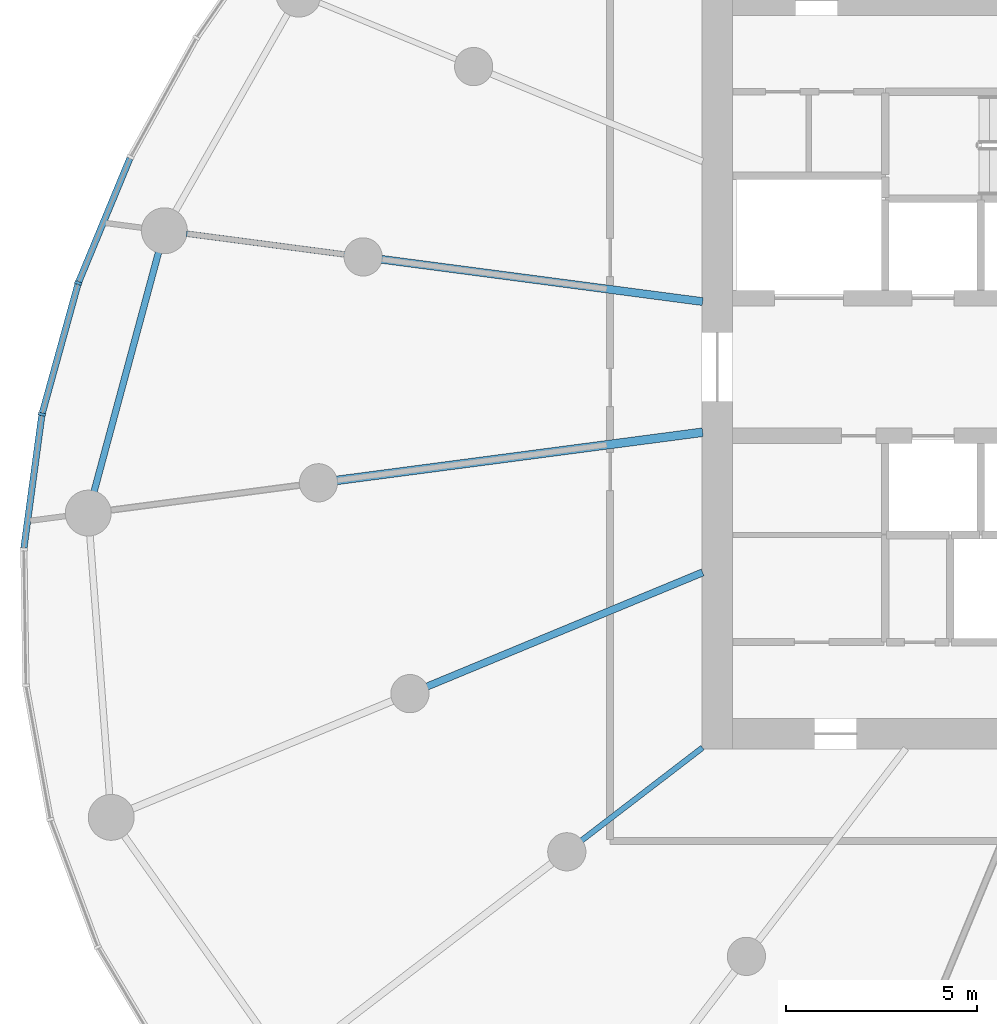
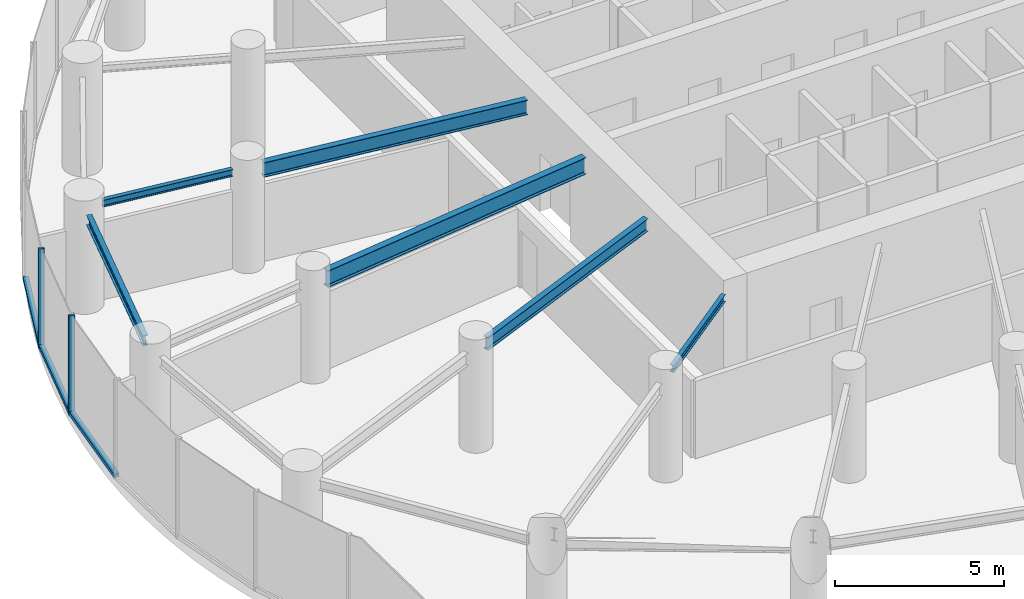
# One storey, part 3 of 17: 6 beams, 5 members, 1 element without a shape of its own.
"""IFC4 building model written with IfcOpenShell, lengths in metres."""

from ifc_helpers import new_model, si_unit, direction, frame, origin, origin_2d, place, context, subcontext, project, spatial, rectangle, i_section, extrude, source, transform, mapped, material, layer, layer_set, material_profile, profile_set, type_object, element, aggregate, save


model = new_model("IFC4")

# Units and contexts
model_context = context("Model", 3, precision=1e-05, world=origin(), true_north=direction((0.0, 1.0)))
body_context = subcontext(model_context, "Body", "Model", "MODEL_VIEW")
ifc_project = project(units=[si_unit("LENGTHUNIT", "METRE"), si_unit("AREAUNIT", "SQUARE_METRE"), si_unit("VOLUMEUNIT", "CUBIC_METRE"), si_unit("PLANEANGLEUNIT", "RADIAN"), si_unit("MASSUNIT", "GRAM", prefix="KILO")], contexts=[model_context])

# Site, building, storey
site_placement = place(None, origin())
site = spatial("IfcSite", under=ifc_project, at=site_placement, CompositionType="ELEMENT")
building_placement = place(site_placement, origin())
building = spatial("IfcBuilding", under=site, at=building_placement, Name="Spindrift Exchange Tower", CompositionType="ELEMENT")
storey_placement = place(building_placement, frame((0.0, 0.0, 124.89990234375)))
storey = spatial("IfcBuildingStorey", under=building, at=storey_placement, Name="L29", CompositionType="ELEMENT", Elevation=124.89990234375)

# Beams
ifc_material_1 = material(Name="Steel Grade 300", Category="steel")
ifc_material_profile_1 = material_profile(ifc_material_1, i_section(OverallWidth=0.22802734375, OverallDepth=0.60693359375, WebThickness=0.01123046875, FlangeThickness=0.017333984375, FilletRadius=0.013916015625, at=origin_2d()), Name="610UB113")
ifc_profile_set_1 = profile_set([ifc_material_profile_1], Name="Steel Grade 300")
beam_type_1 = type_object("IfcBeamType", Name="Floor Beam 610UB113 Steel Grade 300", PredefinedType="BEAM", material=ifc_profile_set_1)
shared_shape_1 = source(origin(), body_context, "Body", "SweptSolid", [
    extrude(i_section(OverallWidth=0.22802734375, OverallDepth=0.60693359375, WebThickness=0.01123046875, FlangeThickness=0.017333984375, FilletRadius=0.013916015625, at=origin_2d()), origin(), (0.0, 0.0, 1.0), 9.660400390625),
])
beam_1_placement = place(storey_placement, frame((39.019775390625, 46.291015625, 3.296630859375), z_axis=(-0.99144767089, -0.130504850054, 0.0), x_axis=(0.130504850054, -0.99144767089, 0.0)))
element("IfcBeam", 1, at=beam_1_placement, inside=storey, type_object=beam_type_1, Name="L29 radial beam R13A", PredefinedType="BEAM", context=body_context, shape_type="MappedRepresentation", body=[
    mapped(shared_shape_1, transform((0.0, 0.0, 0.0), scale=1.0)),
])
ifc_material_profile_2 = material_profile(ifc_material_1, i_section(OverallWidth=0.18994140625, OverallDepth=0.45703125, WebThickness=0.009033203125, FlangeThickness=0.014404296875, FilletRadius=0.013916015625, at=origin_2d()), Name="460UB74.6")
ifc_profile_set_2 = profile_set([ifc_material_profile_2], Name="Steel Grade 300")
beam_type_2 = type_object("IfcBeamType", Name="Floor Beam 460UB74.6 Steel Grade 300", PredefinedType="BEAM", material=ifc_profile_set_2)
shared_shape_2 = source(origin(), body_context, "Body", "SweptSolid", [
    extrude(i_section(OverallWidth=0.18994140625, OverallDepth=0.45703125, WebThickness=0.009033203125, FlangeThickness=0.014404296875, FilletRadius=0.013916015625, at=origin_2d()), origin(), (0.0, 0.0, 1.0), 7.808837890625),
])
beam_2_placement = place(storey_placement, frame((39.0185546875, 42.622802734375, 3.37158203125), z_axis=(-0.92387965154, -0.382683145003, 0.0), x_axis=(0.382683145003, -0.92387965154, 0.0)))
element("IfcBeam", 2, at=beam_2_placement, inside=storey, type_object=beam_type_2, Name="L29 radial beam R14A", PredefinedType="BEAM", context=body_context, shape_type="MappedRepresentation", body=[
    mapped(shared_shape_2, transform((0.0, 0.0, 0.0), scale=1.0)),
])
ifc_material_profile_3 = material_profile(ifc_material_1, i_section(OverallWidth=0.14599609375, OverallDepth=0.251953125, WebThickness=0.006103515625, FlangeThickness=0.008544921875, FilletRadius=0.011962890625, at=origin_2d()), Name="250UB31.4")
ifc_profile_set_3 = profile_set([ifc_material_profile_3], Name="Steel Grade 300")
beam_type_3 = type_object("IfcBeamType", Name="Floor Beam 250UB31.4 Steel Grade 300", PredefinedType="BEAM", material=ifc_profile_set_3)
shared_shape_3 = source(origin(), body_context, "Body", "SweptSolid", [
    extrude(i_section(OverallWidth=0.14599609375, OverallDepth=0.251953125, WebThickness=0.006103515625, FlangeThickness=0.008544921875, FilletRadius=0.011962890625, at=origin_2d()), origin(), (0.0, 0.0, 1.0), 3.99560546875),
])
beam_3_placement = place(storey_placement, frame((39.015869140625, 38.036865234375, 3.47412109375), z_axis=(-0.793352561574, -0.608762443851, 0.0), x_axis=(0.608762443851, -0.793352561574, 0.0)))
element("IfcBeam", 3, at=beam_3_placement, inside=storey, type_object=beam_type_3, Name="L29 radial beam R15A", PredefinedType="BEAM", context=body_context, shape_type="MappedRepresentation", body=[
    mapped(shared_shape_3, transform((0.0, 0.0, 0.0), scale=1.0)),
])
ifc_material_profile_4 = material_profile(ifc_material_1, i_section(OverallWidth=0.208984375, OverallDepth=0.532958984375, WebThickness=0.01025390625, FlangeThickness=0.015625, FilletRadius=0.013916015625, at=origin_2d()), Name="530UB92.4")
ifc_profile_set_4 = profile_set([ifc_material_profile_4], Name="Steel Grade 300")
beam_type_4 = type_object("IfcBeamType", Name="Floor Beam 530UB92.4 Steel Grade 300", PredefinedType="BEAM", material=ifc_profile_set_4)
shared_shape_4 = source(origin(), body_context, "Body", "SweptSolid", [
    extrude(i_section(OverallWidth=0.208984375, OverallDepth=0.532958984375, WebThickness=0.01025390625, FlangeThickness=0.015625, FilletRadius=0.013916015625, at=origin_2d()), origin(), (0.0, 0.0, 1.0), 8.4794921875),
])
beam_4_placement = place(storey_placement, frame((39.019775390625, 49.708984375, 3.33349609375), z_axis=(-0.991446551951, 0.13051335037, 0.0), x_axis=(-0.13051335037, -0.991446551951, 0.0)))
element("IfcBeam", 4, at=beam_4_placement, inside=storey, type_object=beam_type_4, Name="L29 radial beam R12A", PredefinedType="BEAM", context=body_context, shape_type="MappedRepresentation", body=[
    mapped(shared_shape_4, transform((0.0, 0.0, 0.0), scale=1.0)),
])
shared_shape_5 = source(origin(), body_context, "Body", "SweptSolid", [
    extrude(i_section(OverallWidth=0.14599609375, OverallDepth=0.251953125, WebThickness=0.006103515625, FlangeThickness=0.008544921875, FilletRadius=0.011962890625, at=origin_2d()), origin(), (0.0, 0.0, 1.0), 4.186279296875),
])
beam_5_placement = place(storey_placement, frame((29.660888671875, 50.94091796875, 3.47412109375), z_axis=(-0.991445559167, 0.130520891848, 0.0), x_axis=(-0.130520891848, -0.991445559167, 0.0)))
element("IfcBeam", 5, at=beam_5_placement, inside=storey, type_object=beam_type_3, Name="L29 radial beam R12B", PredefinedType="BEAM", context=body_context, shape_type="MappedRepresentation", body=[
    mapped(shared_shape_5, transform((0.0, 0.0, 0.0), scale=1.0)),
])
ifc_material_profile_5 = material_profile(ifc_material_1, i_section(OverallWidth=0.172119140625, OverallDepth=0.35888671875, WebThickness=0.008056640625, FlangeThickness=0.012939453125, FilletRadius=0.013916015625, at=origin_2d()), Name="360UB56.7")
ifc_profile_set_5 = profile_set([ifc_material_profile_5], Name="Steel Grade 300")
beam_type_5 = type_object("IfcBeamType", Name="Edge Beam 360UB56.7 Steel Grade 300", PredefinedType="SPANDREL", material=ifc_profile_set_5)
shared_shape_6 = source(origin(), body_context, "Body", "SweptSolid", [
    extrude(i_section(OverallWidth=0.172119140625, OverallDepth=0.35888671875, WebThickness=0.008056640625, FlangeThickness=0.012939453125, FilletRadius=0.013916015625, at=origin_2d()), origin(), (0.0, 0.0, 1.0), 6.4921875),
])
beam_6_placement = place(storey_placement, frame((24.784423828125, 51.003173828125, 3.420654296875), z_axis=(-0.260262058381, -0.965538016324, 0.0), x_axis=(0.965538016324, -0.260262058381, 0.0)))
element("IfcBeam", 6, at=beam_6_placement, inside=storey, type_object=beam_type_5, Name="L29 edge beam E12", PredefinedType="SPANDREL", context=body_context, shape_type="MappedRepresentation", body=[
    mapped(shared_shape_6, transform((0.0, 0.0, 0.0), scale=1.0)),
])

# Curtain wall, members
ifc_material_2 = material(Name="Fritted laminated glass with bronze frame", Category="glass")
ifc_layer = layer(ifc_material_2, 0.18994140625)
ifc_layer_set = layer_set([ifc_layer], Name="ZONE 2 BRONZE FRITTED WALL")
curtain_wall_type = type_object("IfcCurtainWallType", Name="ZONE 2 BRONZE FRITTED WALL", PredefinedType="NOTDEFINED", material=ifc_layer_set)
curtain_wall_placement = place(storey_placement, origin())
curtain_wall = element("IfcCurtainWall", 7, at=curtain_wall_placement, inside=storey, type_object=curtain_wall_type, Name="L29 Zone 2 Bronze Fritted Wall run 4", PredefinedType="NOTDEFINED")
ifc_material_3 = material(Name="Bronze anodised aluminium", Category="aluminium")
ifc_material_profile_6 = material_profile(ifc_material_3, rectangle(XDim=0.169921875, YDim=0.139892578125, at=origin_2d()), Name="ZONE 2 BRONZE FRITTED WALL TRANSOM 170X140")
ifc_profile_set_6 = profile_set([ifc_material_profile_6], Name="Bronze anodised aluminium")
member_type_1 = type_object("IfcMemberType", Name="ZONE 2 BRONZE FRITTED WALL TRANSOM 170X140", PredefinedType="USERDEFINED", material=ifc_profile_set_6)
shared_shape_7 = source(origin(), body_context, "Body", "SweptSolid", [
    extrude(rectangle(XDim=0.169921875, YDim=0.139892578125, at=origin_2d()), origin(), (0.0, 0.0, 1.0), 3.490478515625),
])
member_1_placement = place(storey_placement, frame((22.67236328125, 50.160400390625, 0.070068359375), z_axis=(-0.266637205335, -0.9637969707, 0.0), x_axis=(0.9637969707, -0.266637205335, 0.0)))
member_1 = element("IfcMember", 8, at=member_1_placement, type_object=member_type_1, Name="L29 transom CW-2.21", ObjectType="TRANSOM", PredefinedType="USERDEFINED", context=body_context, shape_type="MappedRepresentation", body=[
    mapped(shared_shape_7, transform((0.0, 0.0, 0.0), scale=1.0)),
])
shared_shape_8 = source(origin(), body_context, "Body", "SweptSolid", [
    extrude(rectangle(XDim=0.169921875, YDim=0.139892578125, at=origin_2d()), origin(), (0.0, 0.0, 1.0), 3.49072265625),
])
member_2_placement = place(storey_placement, frame((24.032470703125, 53.456298828125, 0.070068359375), z_axis=(-0.382697690018, -0.923873626669, 0.0), x_axis=(0.923873626669, -0.382697690018, 0.0)))
member_2 = element("IfcMember", 9, at=member_2_placement, type_object=member_type_1, Name="L29 transom CW-2.20", ObjectType="TRANSOM", PredefinedType="USERDEFINED", context=body_context, shape_type="MappedRepresentation", body=[
    mapped(shared_shape_8, transform((0.0, 0.0, 0.0), scale=1.0)),
])
shared_shape_9 = source(origin(), body_context, "Body", "SweptSolid", [
    extrude(rectangle(XDim=0.169921875, YDim=0.139892578125, at=origin_2d()), origin(), (0.0, 0.0, 1.0), 3.48974609375),
])
member_3_placement = place(storey_placement, frame((21.7265625, 46.72314453125, 0.070068359375), z_axis=(-0.133836190247, -0.991003468299, 0.0), x_axis=(0.991003468299, -0.133836190247, 0.0)))
member_3 = element("IfcMember", 10, at=member_3_placement, type_object=member_type_1, Name="L29 transom CW-2.22", ObjectType="TRANSOM", PredefinedType="USERDEFINED", context=body_context, shape_type="MappedRepresentation", body=[
    mapped(shared_shape_9, transform((0.0, 0.0, 0.0), scale=1.0)),
])
ifc_material_profile_7 = material_profile(ifc_material_3, rectangle(XDim=0.074951171875, YDim=0.18994140625, at=origin_2d()), Name="ZONE 2 BRONZE FRITTED WALL MULLION 75X190")
ifc_profile_set_7 = profile_set([ifc_material_profile_7], Name="Bronze anodised aluminium")
member_type_2 = type_object("IfcMemberType", Name="ZONE 2 BRONZE FRITTED WALL MULLION 75X190", PredefinedType="MULLION", material=ifc_profile_set_7)
shared_shape_10 = source(origin(), body_context, "Body", "SweptSolid", [
    extrude(rectangle(XDim=0.074951171875, YDim=0.18994140625, at=origin_2d()), origin(), (0.0, 0.0, 1.0), 3.60009765625),
])
member_4_placement = place(storey_placement, frame((22.682373046875, 50.196533203125, 0.0), z_axis=(0.0, 0.0, 1.0), x_axis=(-0.325259909645, -0.945624656604, 0.0)))
member_4 = element("IfcMember", 11, at=member_4_placement, type_object=member_type_2, Name="L29 mullion CW-2.21", PredefinedType="MULLION", context=body_context, shape_type="MappedRepresentation", body=[
    mapped(shared_shape_10, transform((0.0, 0.0, 0.0), scale=1.0)),
])
member_5_placement = place(storey_placement, frame((21.731689453125, 46.76025390625, 0.0), z_axis=(0.0, 0.0, 1.0), x_axis=(-0.200692470362, -0.979654292258, 0.0)))
member_5 = element("IfcMember", 12, at=member_5_placement, type_object=member_type_2, Name="L29 mullion CW-2.22", PredefinedType="MULLION", context=body_context, shape_type="MappedRepresentation", body=[
    mapped(shared_shape_10, transform((0.0, 0.0, 0.0), scale=1.0)),
])
aggregate(curtain_wall, [member_2, member_4, member_1, member_5, member_3])

save(model, "model.ifc")
